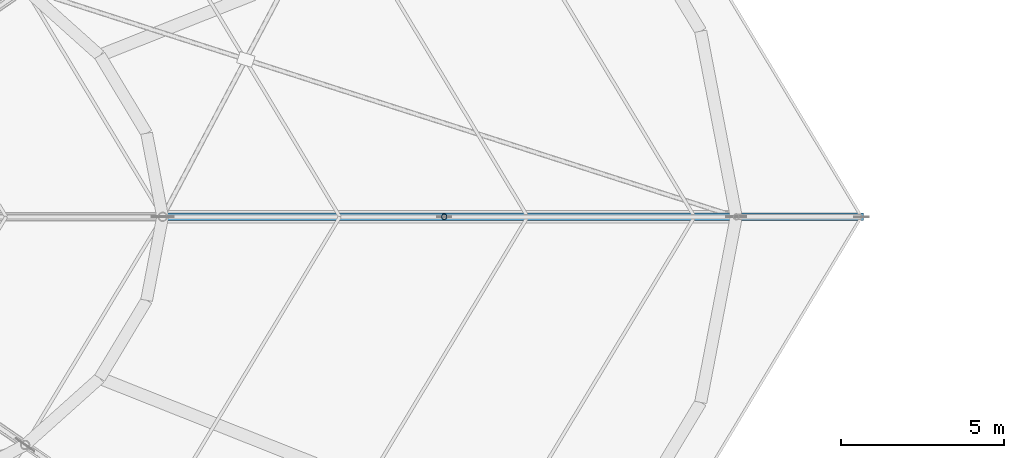
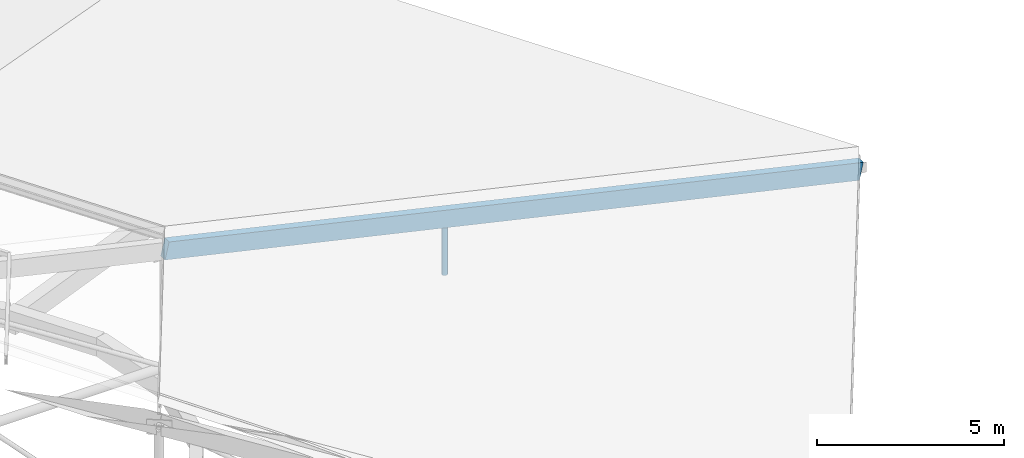
# One storey, part 31 of 66: 2 members.
"""IFC4 building model written with IfcOpenShell, lengths in metres."""

from ifc_helpers import new_model, si_unit, direction, frame, origin, origin_2d, place, context, subcontext, project, spatial, rectangle, hollow_circle, extrude, material, material_profile, profile_set, type_object, element, save


model = new_model("IFC4")

# Units and contexts
model_context = context("Model", 3, precision=1e-05, world=origin(), true_north=direction((0.0, 1.0)))
body_context = subcontext(model_context, "Body", "Model", "MODEL_VIEW")
ifc_project = project(units=[si_unit("LENGTHUNIT", "METRE"), si_unit("AREAUNIT", "SQUARE_METRE"), si_unit("VOLUMEUNIT", "CUBIC_METRE"), si_unit("PLANEANGLEUNIT", "RADIAN"), si_unit("MASSUNIT", "GRAM", prefix="KILO")], contexts=[model_context])

# Site, building, storey
site_placement = place(None, origin())
site = spatial("IfcSite", under=ifc_project, at=site_placement, CompositionType="ELEMENT")
building_placement = place(site_placement, origin())
building = spatial("IfcBuilding", under=site, at=building_placement, Name="Zornivar Specialist Clinic", CompositionType="ELEMENT")
storey_placement = place(building_placement, frame((0.0, 0.0, 16.0)))
storey = spatial("IfcBuildingStorey", under=building, at=storey_placement, Name="L04", CompositionType="ELEMENT", Elevation=16.0)

# Members
ifc_material_1 = material(Name="Glulam GL28h", Category="wood")
ifc_material_profile_1 = material_profile(ifc_material_1, rectangle(XDim=0.239990234375, YDim=0.56005859375, at=origin_2d()), Name="GL28h 240x560")
ifc_profile_set_1 = profile_set([ifc_material_profile_1], Name="Glulam GL28h")
member_type_1 = type_object("IfcMemberType", Name="MEM-RAFTER-GL560", PredefinedType="RAFTER", material=ifc_profile_set_1)
member_1_placement = place(storey_placement, frame((129.43994140625, 57.60009765625, -0.700927734375), z_axis=(-0.97481432698, 0.0, 0.223017999082), x_axis=(0.0, -1.0, 0.0)))
element("IfcMember", 1, at=member_1_placement, inside=storey, type_object=member_type_1, Name="mem:V1:L04:raf1:0", PredefinedType="RAFTER", context=body_context, shape_type="SweptSolid", body=[
    extrude(rectangle(XDim=0.239990234375, YDim=0.56005859375, at=origin_2d()), origin(), (0.0, 0.0, 1.0), 21.993896484375),
])
ifc_material_2 = material(Name="Steel S355J2", Category="steel")
ifc_material_profile_2 = material_profile(ifc_material_2, hollow_circle(Radius=0.084228515625, WallThickness=0.010009765625, at=origin_2d()), Name="CHS 168.3x10")
ifc_profile_set_2 = profile_set([ifc_material_profile_2], Name="Steel S355J2")
member_type_2 = type_object("IfcMemberType", Name="MEM-STRUT-CHS168", PredefinedType="STRUT", material=ifc_profile_set_2)
member_2_placement = place(storey_placement, frame((116.639892578125, 57.60009765625, 0.360107421875), z_axis=(0.0, 0.0, 1.0), x_axis=(1.0, 0.0, 0.0)))
element("IfcMember", 2, at=member_2_placement, inside=storey, type_object=member_type_2, Name="mem:V1:L04:vert1:0", PredefinedType="STRUT", context=body_context, shape_type="SweptSolid", body=[
    extrude(hollow_circle(Radius=0.084228515625, WallThickness=0.010009765625, at=origin_2d()), origin(), (0.0, 0.0, 1.0), 1.866943359375),
])

save(model, "model.ifc")
